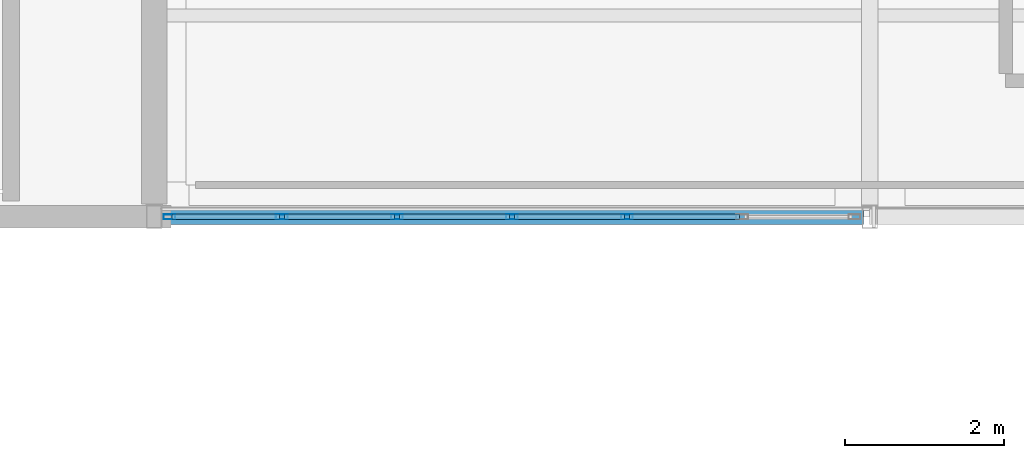
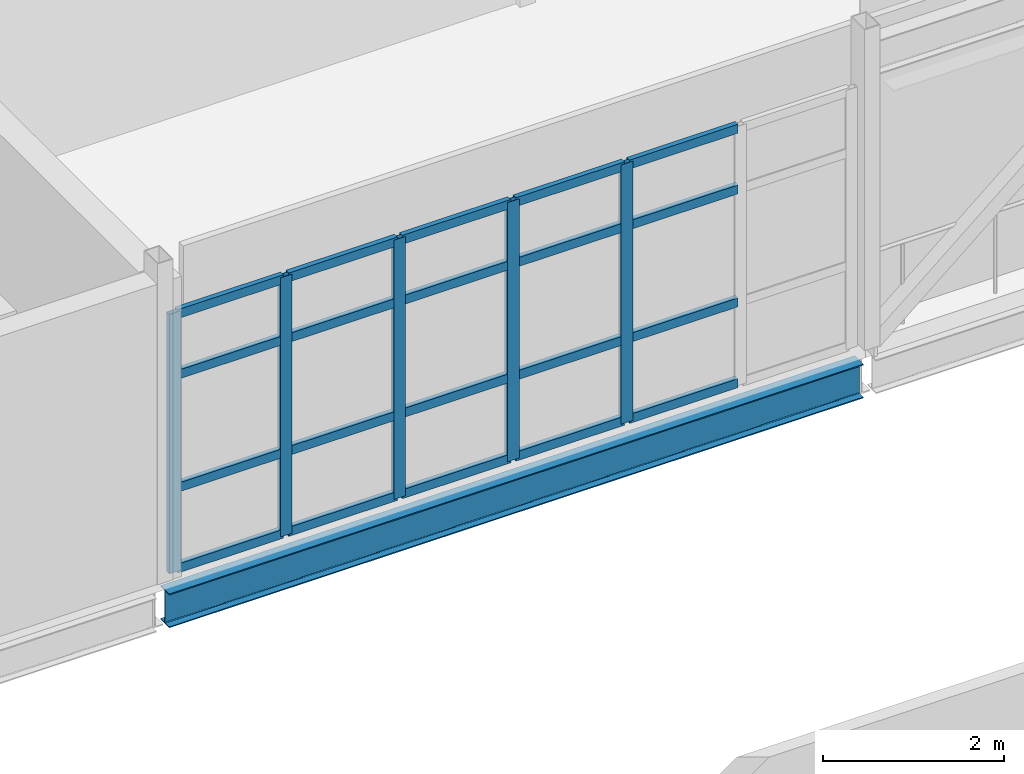
# One storey, part 26 of 166: 25 members, 1 beam, 1 element without a shape of its own.
"""IFC4 building model written with IfcOpenShell, lengths in metres."""

import ifcopenshell
import ifcopenshell.guid

model = None  # the IFC model being written
_history = None  # IfcOwnerHistory: only IFC2X3 demands one
_inside = {}  # id of a spatial element -> (the spatial element, [elements in it])
_under = {}  # id of a project, library or spatial element -> (it, [spatial elements below it])
_declared = {}  # id of a project -> (the project, [libraries it declares])
_typed = {}  # id of a type object -> (the type object, [elements of that type])
_made_of = {}  # id of a material, layer set ... -> (it, [elements and type objects made of it])


def new_model(schema):
    """Start an empty IFC model of exactly this schema.

    Asked for "IFC4X3", IfcOpenShell would pick the latest addendum, in which some entities
    have other attributes; the version numbers below select the first issue.
    IFC2X3 requires an IfcOwnerHistory on every rooted entity: one is made here for all.
    """
    global model, _history
    if schema == "IFC4X3":
        model = ifcopenshell.file(schema_version=(4, 3, 0, 0))
    else:
        model = ifcopenshell.file(schema=schema)
    _inside.clear()
    _under.clear()
    _declared.clear()
    _typed.clear()
    _made_of.clear()
    _history = None
    if model.schema == "IFC2X3":
        org = make("IfcOrganization", Name="unknown")
        user = make(
            "IfcPersonAndOrganization",
            ThePerson=make("IfcPerson", FamilyName="unknown"),
            TheOrganization=org,
        )
        app = make(
            "IfcApplication",
            ApplicationDeveloper=org,
            Version="unknown",
            ApplicationFullName="unknown",
            ApplicationIdentifier="unknown",
        )
        _history = make(
            "IfcOwnerHistory",
            OwningUser=user,
            OwningApplication=app,
            ChangeAction="ADDED",
            CreationDate=0,
        )
    return model


def make(cls, **values):
    """One entity of the class cls with the attributes given. An attribute that is None is left unset."""
    return model.create_entity(
        cls, **{name: value for name, value in values.items() if value is not None}
    )


def rooted(cls, **values):
    """An entity with a GlobalId (a new one), such as an element, a storey or a relation."""
    return make(cls, GlobalId=ifcopenshell.guid.new(), OwnerHistory=_history, **values)


def si_unit(unit_type, name, prefix=None):
    """IfcSIUnit, for example si_unit("LENGTHUNIT", "METRE", prefix="MILLI")."""
    return make("IfcSIUnit", UnitType=unit_type, Prefix=prefix, Name=name)


def assignment(units):
    """IfcUnitAssignment: the units of a project."""
    return None if units is None else make("IfcUnitAssignment", Units=units)


def point(xyz):
    """IfcCartesianPoint."""
    return None if xyz is None else make("IfcCartesianPoint", Coordinates=xyz)


def direction(xyz):
    """IfcDirection."""
    return None if xyz is None else make("IfcDirection", DirectionRatios=xyz)


def frame(location, z_axis=None, x_axis=None):
    """IfcAxis2Placement3D, a coordinate frame: its origin and axes. An axis left out is left unset."""
    return make(
        "IfcAxis2Placement3D",
        Location=point(location),
        Axis=direction(z_axis),
        RefDirection=direction(x_axis),
    )


def frame_2d(location, x_axis=None):
    """IfcAxis2Placement2D, a coordinate frame in the plane: its origin and x axis."""
    return make(
        "IfcAxis2Placement2D", Location=point(location), RefDirection=direction(x_axis)
    )


def origin():
    """The frame at (0, 0, 0) with its axes left unset."""
    return frame((0.0, 0.0, 0.0))


def origin_2d():
    """The frame at (0, 0) in the plane with its x axis left unset."""
    return frame_2d((0.0, 0.0))


def place(relative_to, where):
    """IfcLocalPlacement: puts the frame where relative to a parent placement (None: the world)."""
    return make(
        "IfcLocalPlacement", PlacementRelTo=relative_to, RelativePlacement=where
    )


def context(
    kind, dimensions, precision=None, world=None, true_north=None, identifier=None
):
    """IfcGeometricRepresentationContext, for example the 3D "Model" context."""
    return make(
        "IfcGeometricRepresentationContext",
        ContextIdentifier=identifier,
        ContextType=kind,
        CoordinateSpaceDimension=dimensions,
        Precision=precision,
        WorldCoordinateSystem=world,
        TrueNorth=true_north,
    )


def subcontext(parent, identifier, kind, view, scale=None):
    """IfcGeometricRepresentationSubContext, for example "Body" below "Model"."""
    return make(
        "IfcGeometricRepresentationSubContext",
        ContextIdentifier=identifier,
        ContextType=kind,
        ParentContext=parent,
        TargetScale=scale,
        TargetView=view,
    )


def project(units=None, contexts=None):
    """IfcProject with its units and contexts."""
    return rooted(
        "IfcProject",
        Name="project",
        RepresentationContexts=contexts,
        UnitsInContext=assignment(units),
    )


def spatial(cls, under=None, at=None, **own):
    """A site, building, storey or space (cls), placed at a placement, below another one or the project."""
    s = rooted(cls, ObjectPlacement=at, **own)
    if under is not None:
        _under.setdefault(under.id(), (under, []))[1].append(s)
    return s


def profile(cls, at=None, kind="AREA", **sizes):
    """A parametric profile (cls). Its sizes go by their IFC names, for example OverallWidth=200.0."""
    return make(cls, ProfileType=kind, Position=at, **sizes)


def hollow_rectangle(**sizes):
    """IfcRectangleHollowProfileDef."""
    return profile("IfcRectangleHollowProfileDef", **sizes)


def i_section(**sizes):
    """IfcIShapeProfileDef."""
    return profile("IfcIShapeProfileDef", **sizes)


def extrude(swept, where, along, depth):
    """IfcExtrudedAreaSolid: the profile swept, set in the frame where, extruded along a direction by depth."""
    return make(
        "IfcExtrudedAreaSolid",
        SweptArea=swept,
        Position=where,
        ExtrudedDirection=direction(along),
        Depth=depth,
    )


def shape(context_of_items, identifier, shape_type, items):
    """IfcShapeRepresentation: the items that make up one representation, for example the "Body"."""
    return make(
        "IfcShapeRepresentation",
        ContextOfItems=context_of_items,
        RepresentationIdentifier=identifier,
        RepresentationType=shape_type,
        Items=items,
    )


def material(Name=None, Category=None):
    """IfcMaterial."""
    return make("IfcMaterial", Name=Name, Category=Category)


def material_profile(
    of_material, cross_section, Name=None, Category=None, Priority=None
):
    """IfcMaterialProfile: a cross section and its material."""
    return make(
        "IfcMaterialProfile",
        Name=Name,
        Material=of_material,
        Profile=cross_section,
        Priority=Priority,
        Category=Category,
    )


def profile_set(profiles, Name=None, composite=None):
    """IfcMaterialProfileSet."""
    return make(
        "IfcMaterialProfileSet",
        Name=Name,
        MaterialProfiles=profiles,
        CompositeProfile=composite,
    )


def made_of(thing, what):
    """Note that an element or type object is made of a material, layer set ...; save() writes the relation."""
    if what is not None:
        _made_of.setdefault(what.id(), (what, []))[1].append(thing)
    return thing


def type_object(cls, material=None, **own):
    """A type object (cls), such as IfcWallType, which elements share."""
    return made_of(rooted(cls, **own), material)


def element(
    cls,
    number,
    at=None,
    inside=None,
    cuts=None,
    type_object=None,
    material=None,
    context=None,
    identifier="Body",
    shape_type=None,
    held_by="IfcProductDefinitionShape",
    body=None,
    shapes=None,
    **own,
):
    """One element of the class cls, such as IfcWall. Its Tag is "e" and its number.

    at: its placement. inside: the storey or other place that contains it. cuts: it is an
    opening in that element (IfcRelVoidsElement). A single representation is given by context,
    identifier, shape_type and body (its items); several are given by shapes. held_by: the class
    of the entity that holds the representations. save() writes the other relations.
    """
    e = rooted(cls, Tag="e%d" % number, ObjectPlacement=at, **own)
    if body is not None:
        shapes = [shape(context, identifier, shape_type, body)]
    if shapes is not None:
        e.Representation = make(held_by, Representations=shapes)
    if inside is not None:
        _inside.setdefault(inside.id(), (inside, []))[1].append(e)
    if cuts is not None:
        rooted(
            "IfcRelVoidsElement", RelatingBuildingElement=cuts, RelatedOpeningElement=e
        )
    if type_object is not None:
        _typed.setdefault(type_object.id(), (type_object, []))[1].append(e)
    return made_of(e, material)


def aggregate(whole, parts):
    """IfcRelAggregates: a whole, such as a stair, and the parts it consists of."""
    return rooted("IfcRelAggregates", RelatingObject=whole, RelatedObjects=parts)


def save(model, path):
    """Write the relations noted so far, then the file.

    IfcRelAggregates (storeys below a building ...), IfcRelContainedInSpatialStructure (elements
    in a storey), IfcRelDefinesByType, IfcRelAssociatesMaterial and IfcRelDeclares: one each for
    every whole, place, type object, material and project.
    """
    for whole, parts in _under.values():
        aggregate(whole, parts)
    for where, things in _inside.values():
        rooted(
            "IfcRelContainedInSpatialStructure",
            RelatedElements=things,
            RelatingStructure=where,
        )
    for kind, things in _typed.values():
        rooted("IfcRelDefinesByType", RelatedObjects=things, RelatingType=kind)
    for what, things in _made_of.values():
        rooted("IfcRelAssociatesMaterial", RelatedObjects=things, RelatingMaterial=what)
    for by, libraries in _declared.values():
        rooted("IfcRelDeclares", RelatingContext=by, RelatedDefinitions=libraries)
    model.write(path)


model = new_model("IFC4")

# Units and contexts
model_context = context("Model", 3, precision=1e-05, world=origin(), true_north=direction((0.0, 1.0)))
body_context = subcontext(model_context, "Body", "Model", "MODEL_VIEW")
ifc_project = project(units=[si_unit("LENGTHUNIT", "METRE"), si_unit("AREAUNIT", "SQUARE_METRE"), si_unit("VOLUMEUNIT", "CUBIC_METRE"), si_unit("PLANEANGLEUNIT", "RADIAN"), si_unit("MASSUNIT", "GRAM", prefix="KILO")], contexts=[model_context])

# Site, building, storey
site_placement = place(None, origin())
site = spatial("IfcSite", under=ifc_project, at=site_placement, CompositionType="ELEMENT")
building_placement = place(site_placement, origin())
building = spatial("IfcBuilding", under=site, at=building_placement, Name="Caisbarro Railhouse Central Library", CompositionType="ELEMENT")
storey_placement = place(building_placement, frame((0.0, 0.0, 9.360107421875)))
storey = spatial("IfcBuildingStorey", under=building, at=storey_placement, Name="L02", CompositionType="ELEMENT", Elevation=9.360107421875)

# Beam
ifc_material_1 = material(Name="Steel ASTM A572 Grade 50", Category="steel")
ifc_material_profile_1 = material_profile(ifc_material_1, i_section(OverallWidth=0.18994140625, OverallDepth=0.45703125, WebThickness=0.009033203125, FlangeThickness=0.014404296875, FilletRadius=0.01806640625, at=origin_2d()), Name="W460X74.0")
ifc_profile_set_1 = profile_set([ifc_material_profile_1], Name="Steel ASTM A572 Grade 50")
beam_type = type_object("IfcBeamType", Name="BM-SP01", PredefinedType="SPANDREL", material=ifc_profile_set_1)
beam_placement = place(storey_placement, frame((9.080078125, 30.39990234375, -0.448486328125), z_axis=(1.0, 0.0, 0.0), x_axis=(0.0, 1.0, 0.0)))
element("IfcBeam", 1, at=beam_placement, inside=storey, type_object=beam_type, Name="SP01 beam L02 #1352", PredefinedType="SPANDREL", context=body_context, shape_type="SweptSolid", body=[
    extrude(i_section(OverallWidth=0.18994140625, OverallDepth=0.45703125, WebThickness=0.009033203125, FlangeThickness=0.014404296875, FilletRadius=0.01806640625, at=origin_2d()), origin(), (0.0, 0.0, 1.0), 8.83984375),
])

# Curtain wall, members
ifc_material_2 = material(Name="Anodised architectural aluminium", Category="aluminium")
curtain_wall_type = type_object("IfcCurtainWallType", Name="CW-CW02", PredefinedType="NOTDEFINED", material=ifc_material_2)
curtain_wall_placement = place(storey_placement, origin())
curtain_wall = element("IfcCurtainWall", 2, at=curtain_wall_placement, inside=storey, type_object=curtain_wall_type, Name="CW02 curtain wall L02 #44", PredefinedType="NOTDEFINED")
ifc_material_profile_2 = material_profile(ifc_material_2, hollow_rectangle(XDim=0.06494140625, YDim=0.14990234375, WallThickness=0.00390625, at=origin_2d()), Name="ALU-MUL-65X150")
ifc_profile_set_2 = profile_set([ifc_material_profile_2], Name="Anodised architectural aluminium")
member_type_1 = type_object("IfcMemberType", Name="CWM-M02", PredefinedType="MULLION", material=ifc_profile_set_2)
member_1_placement = place(storey_placement, frame((9.1923828125, 30.39990234375, 0.0), z_axis=(0.0, 0.0, 1.0), x_axis=(0.0, 1.0, 0.0)))
member_1 = element("IfcMember", 3, at=member_1_placement, type_object=member_type_1, Name="CW02 mullion 1", PredefinedType="MULLION", context=body_context, shape_type="SweptSolid", body=[
    extrude(hollow_rectangle(XDim=0.06494140625, YDim=0.14990234375, WallThickness=0.00390625, at=origin_2d()), origin(), (0.0, 0.0, 1.0), 3.489990234375),
])
member_2_placement = place(storey_placement, frame((10.606689453125, 30.39990234375, 0.0), z_axis=(0.0, 0.0, 1.0), x_axis=(0.0, 1.0, 0.0)))
member_2 = element("IfcMember", 4, at=member_2_placement, type_object=member_type_1, Name="CW02 mullion 2", PredefinedType="MULLION", context=body_context, shape_type="SweptSolid", body=[
    extrude(hollow_rectangle(XDim=0.06494140625, YDim=0.14990234375, WallThickness=0.00390625, at=origin_2d()), origin(), (0.0, 0.0, 1.0), 3.489990234375),
])
member_3_placement = place(storey_placement, frame((12.05322265625, 30.39990234375, 0.0), z_axis=(0.0, 0.0, 1.0), x_axis=(0.0, 1.0, 0.0)))
member_3 = element("IfcMember", 5, at=member_3_placement, type_object=member_type_1, Name="CW02 mullion 3", PredefinedType="MULLION", context=body_context, shape_type="SweptSolid", body=[
    extrude(hollow_rectangle(XDim=0.06494140625, YDim=0.14990234375, WallThickness=0.00390625, at=origin_2d()), origin(), (0.0, 0.0, 1.0), 3.489990234375),
])
member_4_placement = place(storey_placement, frame((13.5, 30.39990234375, 0.0), z_axis=(0.0, 0.0, 1.0), x_axis=(0.0, 1.0, 0.0)))
member_4 = element("IfcMember", 6, at=member_4_placement, type_object=member_type_1, Name="CW02 mullion 4", PredefinedType="MULLION", context=body_context, shape_type="SweptSolid", body=[
    extrude(hollow_rectangle(XDim=0.06494140625, YDim=0.14990234375, WallThickness=0.00390625, at=origin_2d()), origin(), (0.0, 0.0, 1.0), 3.489990234375),
])
member_5_placement = place(storey_placement, frame((14.94677734375, 30.39990234375, 0.0), z_axis=(0.0, 0.0, 1.0), x_axis=(0.0, 1.0, 0.0)))
member_5 = element("IfcMember", 7, at=member_5_placement, type_object=member_type_1, Name="CW02 mullion 5", PredefinedType="MULLION", context=body_context, shape_type="SweptSolid", body=[
    extrude(hollow_rectangle(XDim=0.06494140625, YDim=0.14990234375, WallThickness=0.00390625, at=origin_2d()), origin(), (0.0, 0.0, 1.0), 3.489990234375),
])
ifc_material_profile_3 = material_profile(ifc_material_2, hollow_rectangle(XDim=0.06494140625, YDim=0.1201171875, WallThickness=0.00341796875, at=origin_2d()), Name="ALU-TRN-65X120")
ifc_profile_set_3 = profile_set([ifc_material_profile_3], Name="Anodised architectural aluminium")
member_type_2 = type_object("IfcMemberType", Name="CWT-T02", PredefinedType="USERDEFINED", material=ifc_profile_set_3)
member_6_placement = place(storey_placement, frame((9.22509765625, 30.39990234375, 0.032470703125), z_axis=(1.0, 0.0, 0.0), x_axis=(0.0, 1.0, 0.0)))
member_6 = element("IfcMember", 8, at=member_6_placement, type_object=member_type_2, Name="CW02 transom 1.1", ObjectType="TRANSOM", PredefinedType="USERDEFINED", context=body_context, shape_type="SweptSolid", body=[
    extrude(hollow_rectangle(XDim=0.06494140625, YDim=0.1201171875, WallThickness=0.00341796875, at=origin_2d()), origin(), (0.0, 0.0, 1.0), 1.34912109375),
])
member_7_placement = place(storey_placement, frame((9.22509765625, 30.39990234375, 1.119873046875), z_axis=(1.0, 0.0, 0.0), x_axis=(0.0, 1.0, 0.0)))
member_7 = element("IfcMember", 9, at=member_7_placement, type_object=member_type_2, Name="CW02 transom 1.2", ObjectType="TRANSOM", PredefinedType="USERDEFINED", context=body_context, shape_type="SweptSolid", body=[
    extrude(hollow_rectangle(XDim=0.06494140625, YDim=0.1201171875, WallThickness=0.00341796875, at=origin_2d()), origin(), (0.0, 0.0, 1.0), 1.34912109375),
])
member_8_placement = place(storey_placement, frame((9.22509765625, 30.39990234375, 2.639892578125), z_axis=(1.0, 0.0, 0.0), x_axis=(0.0, 1.0, 0.0)))
member_8 = element("IfcMember", 10, at=member_8_placement, type_object=member_type_2, Name="CW02 transom 1.3", ObjectType="TRANSOM", PredefinedType="USERDEFINED", context=body_context, shape_type="SweptSolid", body=[
    extrude(hollow_rectangle(XDim=0.06494140625, YDim=0.1201171875, WallThickness=0.00341796875, at=origin_2d()), origin(), (0.0, 0.0, 1.0), 1.34912109375),
])
member_9_placement = place(storey_placement, frame((9.22509765625, 30.39990234375, 3.457275390625), z_axis=(1.0, 0.0, 0.0), x_axis=(0.0, 1.0, 0.0)))
member_9 = element("IfcMember", 11, at=member_9_placement, type_object=member_type_2, Name="CW02 transom 1.4", ObjectType="TRANSOM", PredefinedType="USERDEFINED", context=body_context, shape_type="SweptSolid", body=[
    extrude(hollow_rectangle(XDim=0.06494140625, YDim=0.1201171875, WallThickness=0.00341796875, at=origin_2d()), origin(), (0.0, 0.0, 1.0), 1.34912109375),
])
member_10_placement = place(storey_placement, frame((10.63916015625, 30.39990234375, 0.032470703125), z_axis=(1.0, 0.0, 0.0), x_axis=(0.0, 1.0, 0.0)))
member_10 = element("IfcMember", 12, at=member_10_placement, type_object=member_type_2, Name="CW02 transom 2.1", ObjectType="TRANSOM", PredefinedType="USERDEFINED", context=body_context, shape_type="SweptSolid", body=[
    extrude(hollow_rectangle(XDim=0.06494140625, YDim=0.1201171875, WallThickness=0.00341796875, at=origin_2d()), origin(), (0.0, 0.0, 1.0), 1.381591796875),
])
member_11_placement = place(storey_placement, frame((10.63916015625, 30.39990234375, 1.119873046875), z_axis=(1.0, 0.0, 0.0), x_axis=(0.0, 1.0, 0.0)))
member_11 = element("IfcMember", 13, at=member_11_placement, type_object=member_type_2, Name="CW02 transom 2.2", ObjectType="TRANSOM", PredefinedType="USERDEFINED", context=body_context, shape_type="SweptSolid", body=[
    extrude(hollow_rectangle(XDim=0.06494140625, YDim=0.1201171875, WallThickness=0.00341796875, at=origin_2d()), origin(), (0.0, 0.0, 1.0), 1.381591796875),
])
member_12_placement = place(storey_placement, frame((10.63916015625, 30.39990234375, 2.639892578125), z_axis=(1.0, 0.0, 0.0), x_axis=(0.0, 1.0, 0.0)))
member_12 = element("IfcMember", 14, at=member_12_placement, type_object=member_type_2, Name="CW02 transom 2.3", ObjectType="TRANSOM", PredefinedType="USERDEFINED", context=body_context, shape_type="SweptSolid", body=[
    extrude(hollow_rectangle(XDim=0.06494140625, YDim=0.1201171875, WallThickness=0.00341796875, at=origin_2d()), origin(), (0.0, 0.0, 1.0), 1.381591796875),
])
member_13_placement = place(storey_placement, frame((10.63916015625, 30.39990234375, 3.457275390625), z_axis=(1.0, 0.0, 0.0), x_axis=(0.0, 1.0, 0.0)))
member_13 = element("IfcMember", 15, at=member_13_placement, type_object=member_type_2, Name="CW02 transom 2.4", ObjectType="TRANSOM", PredefinedType="USERDEFINED", context=body_context, shape_type="SweptSolid", body=[
    extrude(hollow_rectangle(XDim=0.06494140625, YDim=0.1201171875, WallThickness=0.00341796875, at=origin_2d()), origin(), (0.0, 0.0, 1.0), 1.381591796875),
])
member_14_placement = place(storey_placement, frame((12.0859375, 30.39990234375, 0.032470703125), z_axis=(1.0, 0.0, 0.0), x_axis=(0.0, 1.0, 0.0)))
member_14 = element("IfcMember", 16, at=member_14_placement, type_object=member_type_2, Name="CW02 transom 3.1", ObjectType="TRANSOM", PredefinedType="USERDEFINED", context=body_context, shape_type="SweptSolid", body=[
    extrude(hollow_rectangle(XDim=0.06494140625, YDim=0.1201171875, WallThickness=0.00341796875, at=origin_2d()), origin(), (0.0, 0.0, 1.0), 1.381591796875),
])
member_15_placement = place(storey_placement, frame((12.0859375, 30.39990234375, 1.119873046875), z_axis=(1.0, 0.0, 0.0), x_axis=(0.0, 1.0, 0.0)))
member_15 = element("IfcMember", 17, at=member_15_placement, type_object=member_type_2, Name="CW02 transom 3.2", ObjectType="TRANSOM", PredefinedType="USERDEFINED", context=body_context, shape_type="SweptSolid", body=[
    extrude(hollow_rectangle(XDim=0.06494140625, YDim=0.1201171875, WallThickness=0.00341796875, at=origin_2d()), origin(), (0.0, 0.0, 1.0), 1.381591796875),
])
member_16_placement = place(storey_placement, frame((12.0859375, 30.39990234375, 2.639892578125), z_axis=(1.0, 0.0, 0.0), x_axis=(0.0, 1.0, 0.0)))
member_16 = element("IfcMember", 18, at=member_16_placement, type_object=member_type_2, Name="CW02 transom 3.3", ObjectType="TRANSOM", PredefinedType="USERDEFINED", context=body_context, shape_type="SweptSolid", body=[
    extrude(hollow_rectangle(XDim=0.06494140625, YDim=0.1201171875, WallThickness=0.00341796875, at=origin_2d()), origin(), (0.0, 0.0, 1.0), 1.381591796875),
])
member_17_placement = place(storey_placement, frame((12.0859375, 30.39990234375, 3.457275390625), z_axis=(1.0, 0.0, 0.0), x_axis=(0.0, 1.0, 0.0)))
member_17 = element("IfcMember", 19, at=member_17_placement, type_object=member_type_2, Name="CW02 transom 3.4", ObjectType="TRANSOM", PredefinedType="USERDEFINED", context=body_context, shape_type="SweptSolid", body=[
    extrude(hollow_rectangle(XDim=0.06494140625, YDim=0.1201171875, WallThickness=0.00341796875, at=origin_2d()), origin(), (0.0, 0.0, 1.0), 1.381591796875),
])
member_18_placement = place(storey_placement, frame((13.532470703125, 30.39990234375, 0.032470703125), z_axis=(1.0, 0.0, 0.0), x_axis=(0.0, 1.0, 0.0)))
member_18 = element("IfcMember", 20, at=member_18_placement, type_object=member_type_2, Name="CW02 transom 4.1", ObjectType="TRANSOM", PredefinedType="USERDEFINED", context=body_context, shape_type="SweptSolid", body=[
    extrude(hollow_rectangle(XDim=0.06494140625, YDim=0.1201171875, WallThickness=0.00341796875, at=origin_2d()), origin(), (0.0, 0.0, 1.0), 1.381591796875),
])
member_19_placement = place(storey_placement, frame((13.532470703125, 30.39990234375, 1.119873046875), z_axis=(1.0, 0.0, 0.0), x_axis=(0.0, 1.0, 0.0)))
member_19 = element("IfcMember", 21, at=member_19_placement, type_object=member_type_2, Name="CW02 transom 4.2", ObjectType="TRANSOM", PredefinedType="USERDEFINED", context=body_context, shape_type="SweptSolid", body=[
    extrude(hollow_rectangle(XDim=0.06494140625, YDim=0.1201171875, WallThickness=0.00341796875, at=origin_2d()), origin(), (0.0, 0.0, 1.0), 1.381591796875),
])
member_20_placement = place(storey_placement, frame((13.532470703125, 30.39990234375, 2.639892578125), z_axis=(1.0, 0.0, 0.0), x_axis=(0.0, 1.0, 0.0)))
member_20 = element("IfcMember", 22, at=member_20_placement, type_object=member_type_2, Name="CW02 transom 4.3", ObjectType="TRANSOM", PredefinedType="USERDEFINED", context=body_context, shape_type="SweptSolid", body=[
    extrude(hollow_rectangle(XDim=0.06494140625, YDim=0.1201171875, WallThickness=0.00341796875, at=origin_2d()), origin(), (0.0, 0.0, 1.0), 1.381591796875),
])
member_21_placement = place(storey_placement, frame((13.532470703125, 30.39990234375, 3.457275390625), z_axis=(1.0, 0.0, 0.0), x_axis=(0.0, 1.0, 0.0)))
member_21 = element("IfcMember", 23, at=member_21_placement, type_object=member_type_2, Name="CW02 transom 4.4", ObjectType="TRANSOM", PredefinedType="USERDEFINED", context=body_context, shape_type="SweptSolid", body=[
    extrude(hollow_rectangle(XDim=0.06494140625, YDim=0.1201171875, WallThickness=0.00341796875, at=origin_2d()), origin(), (0.0, 0.0, 1.0), 1.381591796875),
])
member_22_placement = place(storey_placement, frame((14.979248046875, 30.39990234375, 0.032470703125), z_axis=(1.0, 0.0, 0.0), x_axis=(0.0, 1.0, 0.0)))
member_22 = element("IfcMember", 24, at=member_22_placement, type_object=member_type_2, Name="CW02 transom 5.1", ObjectType="TRANSOM", PredefinedType="USERDEFINED", context=body_context, shape_type="SweptSolid", body=[
    extrude(hollow_rectangle(XDim=0.06494140625, YDim=0.1201171875, WallThickness=0.00341796875, at=origin_2d()), origin(), (0.0, 0.0, 1.0), 1.381591796875),
])
member_23_placement = place(storey_placement, frame((14.979248046875, 30.39990234375, 1.119873046875), z_axis=(1.0, 0.0, 0.0), x_axis=(0.0, 1.0, 0.0)))
member_23 = element("IfcMember", 25, at=member_23_placement, type_object=member_type_2, Name="CW02 transom 5.2", ObjectType="TRANSOM", PredefinedType="USERDEFINED", context=body_context, shape_type="SweptSolid", body=[
    extrude(hollow_rectangle(XDim=0.06494140625, YDim=0.1201171875, WallThickness=0.00341796875, at=origin_2d()), origin(), (0.0, 0.0, 1.0), 1.381591796875),
])
member_24_placement = place(storey_placement, frame((14.979248046875, 30.39990234375, 2.639892578125), z_axis=(1.0, 0.0, 0.0), x_axis=(0.0, 1.0, 0.0)))
member_24 = element("IfcMember", 26, at=member_24_placement, type_object=member_type_2, Name="CW02 transom 5.3", ObjectType="TRANSOM", PredefinedType="USERDEFINED", context=body_context, shape_type="SweptSolid", body=[
    extrude(hollow_rectangle(XDim=0.06494140625, YDim=0.1201171875, WallThickness=0.00341796875, at=origin_2d()), origin(), (0.0, 0.0, 1.0), 1.381591796875),
])
member_25_placement = place(storey_placement, frame((14.979248046875, 30.39990234375, 3.457275390625), z_axis=(1.0, 0.0, 0.0), x_axis=(0.0, 1.0, 0.0)))
member_25 = element("IfcMember", 27, at=member_25_placement, type_object=member_type_2, Name="CW02 transom 5.4", ObjectType="TRANSOM", PredefinedType="USERDEFINED", context=body_context, shape_type="SweptSolid", body=[
    extrude(hollow_rectangle(XDim=0.06494140625, YDim=0.1201171875, WallThickness=0.00341796875, at=origin_2d()), origin(), (0.0, 0.0, 1.0), 1.381591796875),
])
aggregate(curtain_wall, [member_1, member_2, member_3, member_4, member_5, member_6, member_7, member_8, member_9, member_10, member_11, member_12, member_13, member_14, member_15, member_16, member_17, member_18, member_19, member_20, member_21, member_22, member_23, member_24, member_25])

save(model, "model.ifc")
